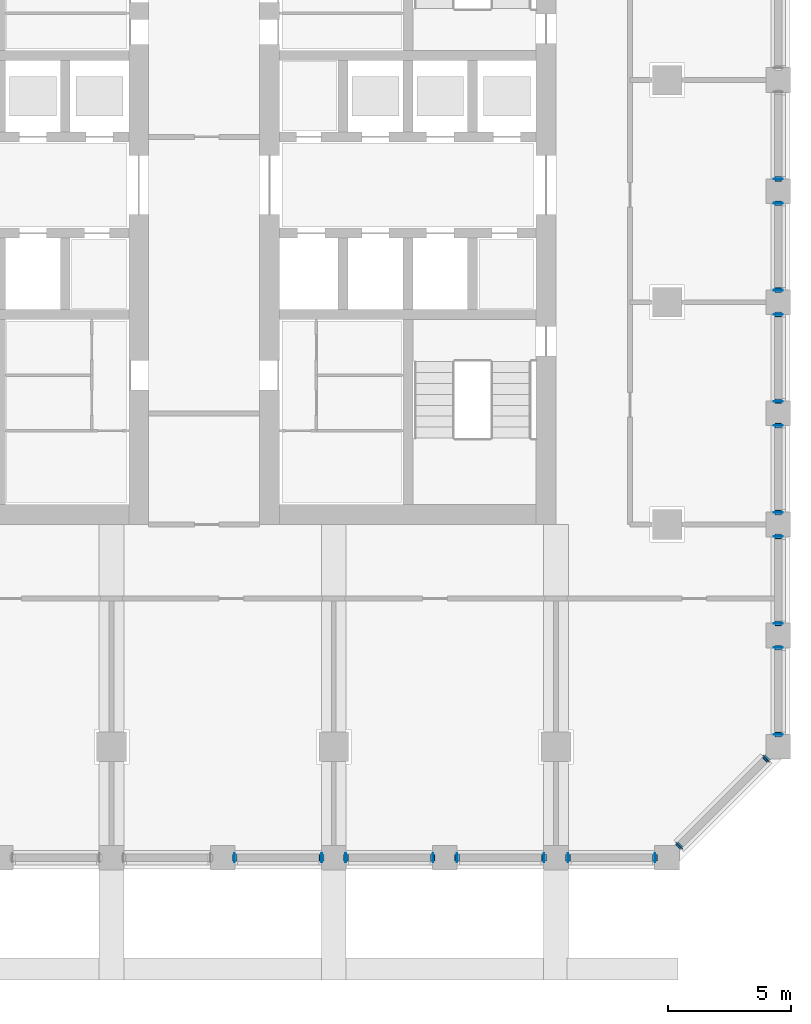
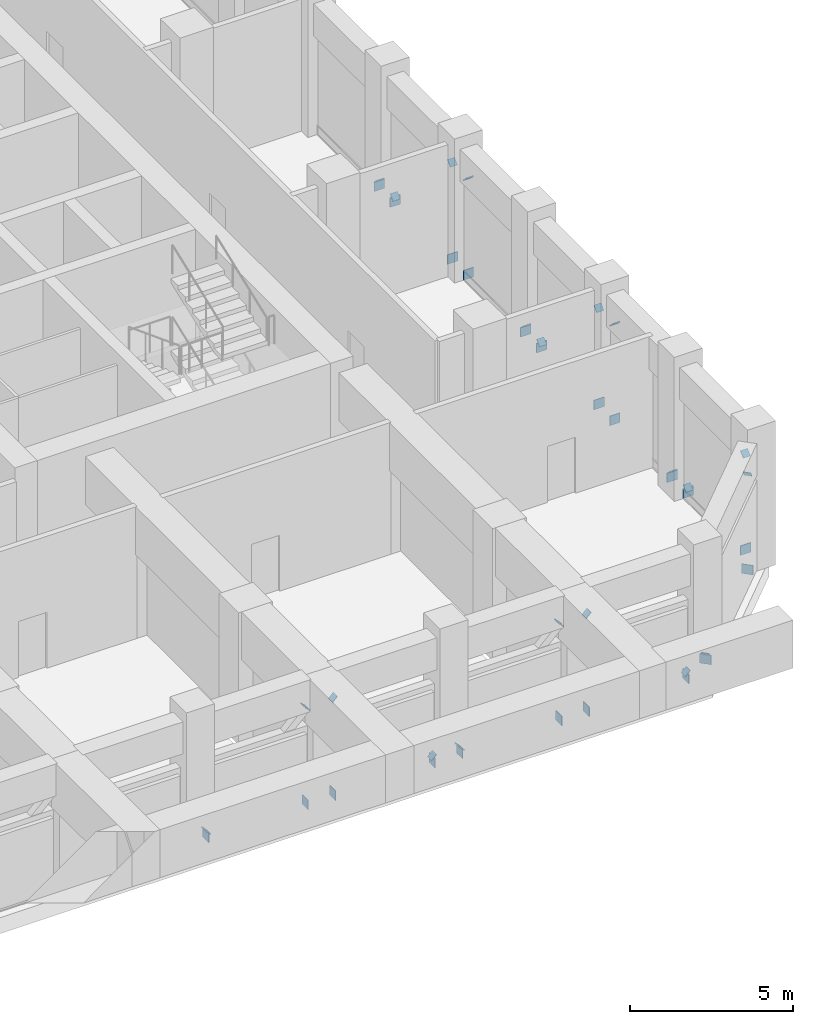
# One storey, part 10 of 20: 42 discrete accessories.
"""IFC4 building model written with IfcOpenShell, lengths in metres."""

import ifcopenshell
import ifcopenshell.guid

model = None  # the IFC model being written
_history = None  # IfcOwnerHistory: only IFC2X3 demands one
_inside = {}  # id of a spatial element -> (the spatial element, [elements in it])
_under = {}  # id of a project, library or spatial element -> (it, [spatial elements below it])
_declared = {}  # id of a project -> (the project, [libraries it declares])
_typed = {}  # id of a type object -> (the type object, [elements of that type])
_made_of = {}  # id of a material, layer set ... -> (it, [elements and type objects made of it])


def new_model(schema):
    """Start an empty IFC model of exactly this schema.

    Asked for "IFC4X3", IfcOpenShell would pick the latest addendum, in which some entities
    have other attributes; the version numbers below select the first issue.
    IFC2X3 requires an IfcOwnerHistory on every rooted entity: one is made here for all.
    """
    global model, _history
    if schema == "IFC4X3":
        model = ifcopenshell.file(schema_version=(4, 3, 0, 0))
    else:
        model = ifcopenshell.file(schema=schema)
    _inside.clear()
    _under.clear()
    _declared.clear()
    _typed.clear()
    _made_of.clear()
    _history = None
    if model.schema == "IFC2X3":
        org = make("IfcOrganization", Name="unknown")
        user = make(
            "IfcPersonAndOrganization",
            ThePerson=make("IfcPerson", FamilyName="unknown"),
            TheOrganization=org,
        )
        app = make(
            "IfcApplication",
            ApplicationDeveloper=org,
            Version="unknown",
            ApplicationFullName="unknown",
            ApplicationIdentifier="unknown",
        )
        _history = make(
            "IfcOwnerHistory",
            OwningUser=user,
            OwningApplication=app,
            ChangeAction="ADDED",
            CreationDate=0,
        )
    return model


def make(cls, **values):
    """One entity of the class cls with the attributes given. An attribute that is None is left unset."""
    return model.create_entity(
        cls, **{name: value for name, value in values.items() if value is not None}
    )


def rooted(cls, **values):
    """An entity with a GlobalId (a new one), such as an element, a storey or a relation."""
    return make(cls, GlobalId=ifcopenshell.guid.new(), OwnerHistory=_history, **values)


def si_unit(unit_type, name, prefix=None):
    """IfcSIUnit, for example si_unit("LENGTHUNIT", "METRE", prefix="MILLI")."""
    return make("IfcSIUnit", UnitType=unit_type, Prefix=prefix, Name=name)


def assignment(units):
    """IfcUnitAssignment: the units of a project."""
    return None if units is None else make("IfcUnitAssignment", Units=units)


def point(xyz):
    """IfcCartesianPoint."""
    return None if xyz is None else make("IfcCartesianPoint", Coordinates=xyz)


def direction(xyz):
    """IfcDirection."""
    return None if xyz is None else make("IfcDirection", DirectionRatios=xyz)


def frame(location, z_axis=None, x_axis=None):
    """IfcAxis2Placement3D, a coordinate frame: its origin and axes. An axis left out is left unset."""
    return make(
        "IfcAxis2Placement3D",
        Location=point(location),
        Axis=direction(z_axis),
        RefDirection=direction(x_axis),
    )


def frame_2d(location, x_axis=None):
    """IfcAxis2Placement2D, a coordinate frame in the plane: its origin and x axis."""
    return make(
        "IfcAxis2Placement2D", Location=point(location), RefDirection=direction(x_axis)
    )


def origin():
    """The frame at (0, 0, 0) with its axes left unset."""
    return frame((0.0, 0.0, 0.0))


def origin_2d():
    """The frame at (0, 0) in the plane with its x axis left unset."""
    return frame_2d((0.0, 0.0))


def place(relative_to, where):
    """IfcLocalPlacement: puts the frame where relative to a parent placement (None: the world)."""
    return make(
        "IfcLocalPlacement", PlacementRelTo=relative_to, RelativePlacement=where
    )


def context(
    kind, dimensions, precision=None, world=None, true_north=None, identifier=None
):
    """IfcGeometricRepresentationContext, for example the 3D "Model" context."""
    return make(
        "IfcGeometricRepresentationContext",
        ContextIdentifier=identifier,
        ContextType=kind,
        CoordinateSpaceDimension=dimensions,
        Precision=precision,
        WorldCoordinateSystem=world,
        TrueNorth=true_north,
    )


def subcontext(parent, identifier, kind, view, scale=None):
    """IfcGeometricRepresentationSubContext, for example "Body" below "Model"."""
    return make(
        "IfcGeometricRepresentationSubContext",
        ContextIdentifier=identifier,
        ContextType=kind,
        ParentContext=parent,
        TargetScale=scale,
        TargetView=view,
    )


def project(units=None, contexts=None):
    """IfcProject with its units and contexts."""
    return rooted(
        "IfcProject",
        Name="project",
        RepresentationContexts=contexts,
        UnitsInContext=assignment(units),
    )


def spatial(cls, under=None, at=None, **own):
    """A site, building, storey or space (cls), placed at a placement, below another one or the project."""
    s = rooted(cls, ObjectPlacement=at, **own)
    if under is not None:
        _under.setdefault(under.id(), (under, []))[1].append(s)
    return s


def profile(cls, at=None, kind="AREA", **sizes):
    """A parametric profile (cls). Its sizes go by their IFC names, for example OverallWidth=200.0."""
    return make(cls, ProfileType=kind, Position=at, **sizes)


def rectangle(**sizes):
    """IfcRectangleProfileDef."""
    return profile("IfcRectangleProfileDef", **sizes)


def extrude(swept, where, along, depth):
    """IfcExtrudedAreaSolid: the profile swept, set in the frame where, extruded along a direction by depth."""
    return make(
        "IfcExtrudedAreaSolid",
        SweptArea=swept,
        Position=where,
        ExtrudedDirection=direction(along),
        Depth=depth,
    )


def shape(context_of_items, identifier, shape_type, items):
    """IfcShapeRepresentation: the items that make up one representation, for example the "Body"."""
    return make(
        "IfcShapeRepresentation",
        ContextOfItems=context_of_items,
        RepresentationIdentifier=identifier,
        RepresentationType=shape_type,
        Items=items,
    )


def material(Name=None, Category=None):
    """IfcMaterial."""
    return make("IfcMaterial", Name=Name, Category=Category)


def material_profile(
    of_material, cross_section, Name=None, Category=None, Priority=None
):
    """IfcMaterialProfile: a cross section and its material."""
    return make(
        "IfcMaterialProfile",
        Name=Name,
        Material=of_material,
        Profile=cross_section,
        Priority=Priority,
        Category=Category,
    )


def profile_set(profiles, Name=None, composite=None):
    """IfcMaterialProfileSet."""
    return make(
        "IfcMaterialProfileSet",
        Name=Name,
        MaterialProfiles=profiles,
        CompositeProfile=composite,
    )


def made_of(thing, what):
    """Note that an element or type object is made of a material, layer set ...; save() writes the relation."""
    if what is not None:
        _made_of.setdefault(what.id(), (what, []))[1].append(thing)
    return thing


def type_object(cls, material=None, **own):
    """A type object (cls), such as IfcWallType, which elements share."""
    return made_of(rooted(cls, **own), material)


def element(
    cls,
    number,
    at=None,
    inside=None,
    cuts=None,
    type_object=None,
    material=None,
    context=None,
    identifier="Body",
    shape_type=None,
    held_by="IfcProductDefinitionShape",
    body=None,
    shapes=None,
    **own,
):
    """One element of the class cls, such as IfcWall. Its Tag is "e" and its number.

    at: its placement. inside: the storey or other place that contains it. cuts: it is an
    opening in that element (IfcRelVoidsElement). A single representation is given by context,
    identifier, shape_type and body (its items); several are given by shapes. held_by: the class
    of the entity that holds the representations. save() writes the other relations.
    """
    e = rooted(cls, Tag="e%d" % number, ObjectPlacement=at, **own)
    if body is not None:
        shapes = [shape(context, identifier, shape_type, body)]
    if shapes is not None:
        e.Representation = make(held_by, Representations=shapes)
    if inside is not None:
        _inside.setdefault(inside.id(), (inside, []))[1].append(e)
    if cuts is not None:
        rooted(
            "IfcRelVoidsElement", RelatingBuildingElement=cuts, RelatedOpeningElement=e
        )
    if type_object is not None:
        _typed.setdefault(type_object.id(), (type_object, []))[1].append(e)
    return made_of(e, material)


def aggregate(whole, parts):
    """IfcRelAggregates: a whole, such as a stair, and the parts it consists of."""
    return rooted("IfcRelAggregates", RelatingObject=whole, RelatedObjects=parts)


def save(model, path):
    """Write the relations noted so far, then the file.

    IfcRelAggregates (storeys below a building ...), IfcRelContainedInSpatialStructure (elements
    in a storey), IfcRelDefinesByType, IfcRelAssociatesMaterial and IfcRelDeclares: one each for
    every whole, place, type object, material and project.
    """
    for whole, parts in _under.values():
        aggregate(whole, parts)
    for where, things in _inside.values():
        rooted(
            "IfcRelContainedInSpatialStructure",
            RelatedElements=things,
            RelatingStructure=where,
        )
    for kind, things in _typed.values():
        rooted("IfcRelDefinesByType", RelatedObjects=things, RelatingType=kind)
    for what, things in _made_of.values():
        rooted("IfcRelAssociatesMaterial", RelatedObjects=things, RelatingMaterial=what)
    for by, libraries in _declared.values():
        rooted("IfcRelDeclares", RelatingContext=by, RelatedDefinitions=libraries)
    model.write(path)


model = new_model("IFC4")

# Units and contexts
model_context = context("Model", 3, precision=1e-05, world=origin(), true_north=direction((0.0, 1.0)))
body_context = subcontext(model_context, "Body", "Model", "MODEL_VIEW")
ifc_project = project(units=[si_unit("LENGTHUNIT", "METRE"), si_unit("AREAUNIT", "SQUARE_METRE"), si_unit("VOLUMEUNIT", "CUBIC_METRE"), si_unit("PLANEANGLEUNIT", "RADIAN"), si_unit("MASSUNIT", "GRAM", prefix="KILO")], contexts=[model_context])

# Site, building, storey
site_placement = place(None, origin())
site = spatial("IfcSite", under=ifc_project, at=site_placement, CompositionType="ELEMENT")
building_placement = place(site_placement, origin())
building = spatial("IfcBuilding", under=site, at=building_placement, Name="Corbel Stack Research Tower", CompositionType="ELEMENT")
storey_placement = place(building_placement, frame((0.0, 0.0, 151.39990234375)))
storey = spatial("IfcBuildingStorey", under=building, at=storey_placement, Name="L34", CompositionType="ELEMENT", Elevation=151.39990234375)

# Discrete accessories
ifc_material_1 = material(Name="Steel S355", Category="steel")
ifc_material_profile_1 = material_profile(ifc_material_1, rectangle(XDim=0.25390625, YDim=0.25390625, at=origin_2d()), Name="End plate 254x254x25")
ifc_profile_set_1 = profile_set([ifc_material_profile_1], Name="Steel S355")
discrete_accessory_type_1 = type_object("IfcDiscreteAccessoryType", Name="End plate 254x254x25", PredefinedType="ANCHORPLATE", material=ifc_profile_set_1)
for number, where, z_axis, x_axis, name in (
    (1, (5.0, -22.5, 0.356201171875), (-0.711966448453, 0.0, -0.702213483406), (0.0, -1.0, 0.0), "Belt truss end plate L34-07d1"),
    (2, (8.5, -22.5, 3.75), (0.711966448453, 0.0, 0.702213483406), (0.0, 1.0, 0.0), "Belt truss end plate L34-07d2"),
    (3, (13.0, -22.5, 0.356201171875), (0.711966448453, 0.0, -0.702213483406), (0.0, 1.0, 0.0), "Belt truss end plate L34-08d1"),
    (4, (9.5, -22.5, 3.75), (-0.711966448453, 0.0, 0.702213483406), (0.0, -1.0, 0.0), "Belt truss end plate L34-08d2"),
    (5, (14.0, -22.5, 0.356201171875), (-0.711966448453, 0.0, -0.702213483406), (0.0, -1.0, 0.0), "Belt truss end plate L34-09d1"),
    (6, (17.5, -22.5, 3.75), (0.711966448453, 0.0, 0.702213483406), (0.0, 1.0, 0.0), "Belt truss end plate L34-09d2"),
    (7, (22.0, -22.5, 0.356201171875), (0.711966448453, 0.0, -0.702213483406), (0.0, 1.0, 0.0), "Belt truss end plate L34-10d1"),
    (8, (18.5, -22.5, 3.75), (-0.711966448453, 0.0, 0.702213483406), (0.0, -1.0, 0.0), "Belt truss end plate L34-10d2"),
    (9, (23.0, -22.0, 0.356201171875), (-0.58376365729, -0.58376365729, -0.564304868714), (0.707106781187, -0.707106781187, 0.0), "Belt truss end plate L34-11d1"),
    (10, (26.5, -18.5, 3.75), (0.58376365729, 0.58376365729, 0.564304868714), (-0.707106781187, 0.707106781187, 0.0), "Belt truss end plate L34-11d2"),
    (11, (27.0, -14.0, 0.356201171875), (0.0, 0.711966448453, -0.702213483406), (-1.0, 0.0, 0.0), "Belt truss end plate L34-12d1"),
    (12, (27.0, -17.5, 3.75), (0.0, -0.711966448453, 0.702213483406), (1.0, 0.0, 0.0), "Belt truss end plate L34-12d2"),
    (13, (27.0, -13.0, 0.356201171875), (0.0, -0.711966448453, -0.702213483406), (1.0, 0.0, 0.0), "Belt truss end plate L34-13d1"),
    (14, (27.0, -9.5, 3.75), (0.0, 0.711966448453, 0.702213483406), (-1.0, 0.0, 0.0), "Belt truss end plate L34-13d2"),
    (15, (27.0, -5.0, 0.356201171875), (0.0, 0.711966448453, -0.702213483406), (-1.0, 0.0, 0.0), "Belt truss end plate L34-14d1"),
    (16, (27.0, -8.5, 3.75), (0.0, -0.711966448453, 0.702213483406), (1.0, 0.0, 0.0), "Belt truss end plate L34-14d2"),
    (17, (27.0, -4.0, 0.356201171875), (0.0, -0.711966448453, -0.702213483406), (1.0, 0.0, 0.0), "Belt truss end plate L34-15d1"),
    (18, (27.0, -0.5, 3.75), (0.0, 0.711966448453, 0.702213483406), (-1.0, 0.0, 0.0), "Belt truss end plate L34-15d2"),
    (19, (27.0, 4.0, 0.356201171875), (0.0, 0.711966448453, -0.702213483406), (-1.0, 0.0, 0.0), "Belt truss end plate L34-16d1"),
    (20, (27.0, 0.5, 3.75), (0.0, -0.711966448453, 0.702213483406), (1.0, 0.0, 0.0), "Belt truss end plate L34-16d2"),
    (21, (27.0, 5.0, 0.356201171875), (0.0, -0.711966448453, -0.702213483406), (1.0, 0.0, 0.0), "Belt truss end plate L34-17d1"),
):
    element("IfcDiscreteAccessory", number, at=place(storey_placement, frame(where, z_axis=z_axis, x_axis=x_axis)), inside=storey, type_object=discrete_accessory_type_1, Name=name, PredefinedType="ANCHORPLATE", context=body_context, shape_type="SweptSolid", body=[
        extrude(rectangle(XDim=0.25390625, YDim=0.25390625, at=origin_2d()), origin(), (0.0, 0.0, 1.0), 0.025146484375),
    ])
ifc_material_2 = material(Name="Steel S355", Category="steel")
ifc_material_profile_2 = material_profile(ifc_material_2, rectangle(XDim=0.368896484375, YDim=0.35595703125, at=origin_2d()), Name="End plate 369x356x25")
ifc_profile_set_2 = profile_set([ifc_material_profile_2], Name="Steel S355")
discrete_accessory_type_2 = type_object("IfcDiscreteAccessoryType", Name="End plate 369x356x25", PredefinedType="ANCHORPLATE", material=ifc_profile_set_2)
for number, where, z_axis, x_axis, name in (
    (22, (5.0, -22.5, 0.177978515625), (-1.0, 0.0, 0.0), (0.0, -1.0, 0.0), "Belt truss end plate L34-07c1"),
    (23, (8.5, -22.5, 0.177978515625), (1.0, 0.0, 0.0), (0.0, 1.0, 0.0), "Belt truss end plate L34-07c2"),
    (24, (9.5, -22.5, 0.177978515625), (-1.0, 0.0, 0.0), (0.0, -1.0, 0.0), "Belt truss end plate L34-08c1"),
    (25, (13.0, -22.5, 0.177978515625), (1.0, 0.0, 0.0), (0.0, 1.0, 0.0), "Belt truss end plate L34-08c2"),
    (26, (14.0, -22.5, 0.177978515625), (-1.0, 0.0, 0.0), (0.0, -1.0, 0.0), "Belt truss end plate L34-09c1"),
    (27, (17.5, -22.5, 0.177978515625), (1.0, 0.0, 0.0), (0.0, 1.0, 0.0), "Belt truss end plate L34-09c2"),
    (28, (18.5, -22.5, 0.177978515625), (-1.0, 0.0, 0.0), (0.0, -1.0, 0.0), "Belt truss end plate L34-10c1"),
    (29, (22.0, -22.5, 0.177978515625), (1.0, 0.0, 0.0), (0.0, 1.0, 0.0), "Belt truss end plate L34-10c2"),
    (30, (23.0, -22.0, 0.177978515625), (-0.707106781187, -0.707106781187, 0.0), (0.707106781187, -0.707106781187, 0.0), "Belt truss end plate L34-11c1"),
    (31, (26.5, -18.5, 0.177978515625), (0.707106781187, 0.707106781187, 0.0), (-0.707106781187, 0.707106781187, 0.0), "Belt truss end plate L34-11c2"),
    (32, (27.0, -17.5, 0.177978515625), (0.0, -1.0, 0.0), (1.0, 0.0, 0.0), "Belt truss end plate L34-12c1"),
    (33, (27.0, -14.0, 0.177978515625), (0.0, 1.0, 0.0), (-1.0, 0.0, 0.0), "Belt truss end plate L34-12c2"),
    (34, (27.0, -13.0, 0.177978515625), (0.0, -1.0, 0.0), (1.0, 0.0, 0.0), "Belt truss end plate L34-13c1"),
    (35, (27.0, -9.5, 0.177978515625), (0.0, 1.0, 0.0), (-1.0, 0.0, 0.0), "Belt truss end plate L34-13c2"),
    (36, (27.0, -8.5, 0.177978515625), (0.0, -1.0, 0.0), (1.0, 0.0, 0.0), "Belt truss end plate L34-14c1"),
    (37, (27.0, -5.0, 0.177978515625), (0.0, 1.0, 0.0), (-1.0, 0.0, 0.0), "Belt truss end plate L34-14c2"),
    (38, (27.0, -4.0, 0.177978515625), (0.0, -1.0, 0.0), (1.0, 0.0, 0.0), "Belt truss end plate L34-15c1"),
    (39, (27.0, -0.5, 0.177978515625), (0.0, 1.0, 0.0), (-1.0, 0.0, 0.0), "Belt truss end plate L34-15c2"),
    (40, (27.0, 0.5, 0.177978515625), (0.0, -1.0, 0.0), (1.0, 0.0, 0.0), "Belt truss end plate L34-16c1"),
    (41, (27.0, 4.0, 0.177978515625), (0.0, 1.0, 0.0), (-1.0, 0.0, 0.0), "Belt truss end plate L34-16c2"),
    (42, (27.0, 5.0, 0.177978515625), (0.0, -1.0, 0.0), (1.0, 0.0, 0.0), "Belt truss end plate L34-17c1"),
):
    element("IfcDiscreteAccessory", number, at=place(storey_placement, frame(where, z_axis=z_axis, x_axis=x_axis)), inside=storey, type_object=discrete_accessory_type_2, Name=name, PredefinedType="ANCHORPLATE", context=body_context, shape_type="SweptSolid", body=[
        extrude(rectangle(XDim=0.368896484375, YDim=0.35595703125, at=origin_2d()), origin(), (0.0, 0.0, 1.0), 0.02490234375),
    ])

save(model, "model.ifc")
